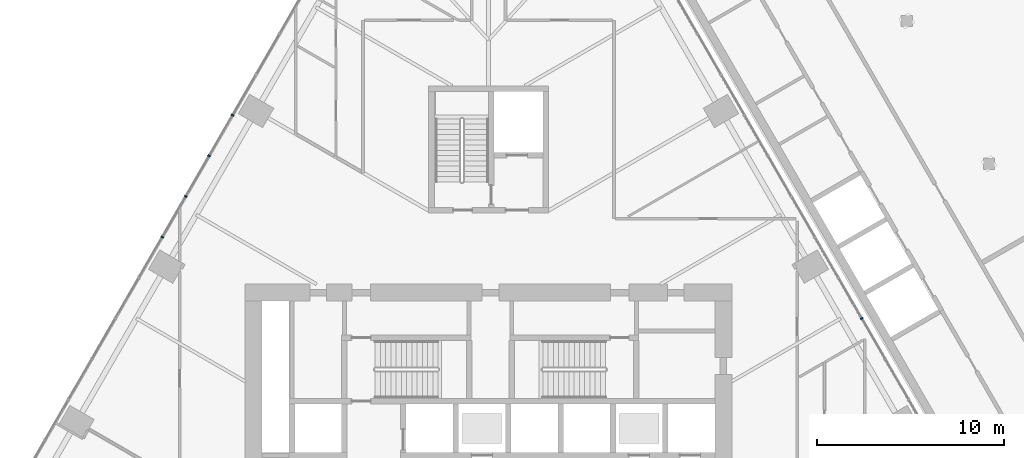
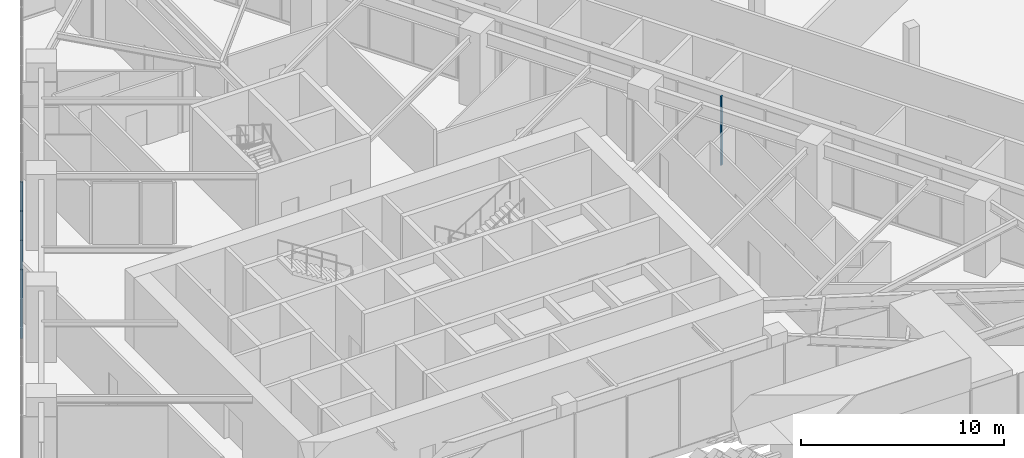
# One storey, part 9 of 23: 5 members, 2 elements without a shape of their own.
"""IFC4 building model written with IfcOpenShell, lengths in metres."""

from ifc_helpers import new_model, si_unit, direction, frame, origin, origin_2d, place, context, subcontext, project, spatial, rectangle, extrude, material, layer, layer_set, material_profile, profile_set, type_object, element, aggregate, save


model = new_model("IFC4")

# Units and contexts
model_context = context("Model", 3, precision=1e-05, world=origin(), true_north=direction((0.0, 1.0)))
body_context = subcontext(model_context, "Body", "Model", "MODEL_VIEW")
ifc_project = project(units=[si_unit("LENGTHUNIT", "METRE"), si_unit("AREAUNIT", "SQUARE_METRE"), si_unit("VOLUMEUNIT", "CUBIC_METRE"), si_unit("PLANEANGLEUNIT", "RADIAN"), si_unit("MASSUNIT", "GRAM", prefix="KILO")], contexts=[model_context])

# Site, building, storey
site_placement = place(None, origin())
site = spatial("IfcSite", under=ifc_project, at=site_placement, CompositionType="ELEMENT")
building_placement = place(site_placement, origin())
building = spatial("IfcBuilding", under=site, at=building_placement, Name="Firuza Gate Tower and Library", CompositionType="ELEMENT")
storey_placement = place(building_placement, frame((0.0, 0.0, 21.800048828125)))
storey = spatial("IfcBuildingStorey", under=building, at=storey_placement, Name="L04", CompositionType="ELEMENT", Elevation=21.800048828125)

# Curtain wall, member
ifc_material_1 = material(Name="Aluminium 6063-T6", Category="aluminium")
ifc_layer = layer(ifc_material_1, 0.14990234375)
ifc_layer_set = layer_set([ifc_layer], Name="Stick curtain wall, podium")
curtain_wall_type = type_object("IfcCurtainWallType", Name="Stick curtain wall, podium", PredefinedType="NOTDEFINED", material=ifc_layer_set)
placement = place(storey_placement, origin())
curtain_wall_1 = element("IfcCurtainWall", 1, at=placement, inside=storey, type_object=curtain_wall_type, Name="CW5 L04 E", PredefinedType="NOTDEFINED")
ifc_material_2 = material(Name="Aluminium 6063-T6", Category="aluminium")
ifc_material_profile = material_profile(ifc_material_2, rectangle(XDim=0.14990234375, YDim=0.080078125, at=origin_2d()))
ifc_profile_set = profile_set([ifc_material_profile], Name="Aluminium 6063-T6")
member_type = type_object("IfcMemberType", Name="Curtain wall mullion 80x150", PredefinedType="MULLION", material=ifc_profile_set)
member_1_placement = place(storey_placement, frame((94.946044921875, 82.171630859375, 0.14990234375), z_axis=(0.0, 0.0, 1.0), x_axis=(-0.866025403784, -0.5, 0.0)))
member_1 = element("IfcMember", 2, at=member_1_placement, type_object=member_type, Name="Mullion", PredefinedType="MULLION", context=body_context, shape_type="SweptSolid", body=[
    extrude(rectangle(XDim=0.14990234375, YDim=0.080078125, at=origin_2d()), origin(), (0.0, 0.0, 1.0), 4.150146484375),
])
aggregate(curtain_wall_1, [member_1])

# Curtain wall, members
curtain_wall_2 = element("IfcCurtainWall", 3, at=placement, inside=storey, type_object=curtain_wall_type, Name="CW5 L04 W", PredefinedType="NOTDEFINED")
member_2_placement = place(storey_placement, frame((61.32421875, 93.0322265625, 0.14990234375), z_axis=(0.0, 0.0, 1.0), x_axis=(0.866025403784, -0.5, 0.0)))
member_2 = element("IfcMember", 4, at=member_2_placement, type_object=member_type, Name="Mullion", PredefinedType="MULLION", context=body_context, shape_type="SweptSolid", body=[
    extrude(rectangle(XDim=0.14990234375, YDim=0.080078125, at=origin_2d()), origin(), (0.0, 0.0, 1.0), 4.150146484375),
])
member_3_placement = place(storey_placement, frame((60.070068359375, 90.860107421875, 0.14990234375), z_axis=(0.0, 0.0, 1.0), x_axis=(0.866025403784, -0.5, 0.0)))
member_3 = element("IfcMember", 5, at=member_3_placement, type_object=member_type, Name="Mullion", PredefinedType="MULLION", context=body_context, shape_type="SweptSolid", body=[
    extrude(rectangle(XDim=0.14990234375, YDim=0.080078125, at=origin_2d()), origin(), (0.0, 0.0, 1.0), 4.150146484375),
])
member_4_placement = place(storey_placement, frame((58.816162109375, 88.68798828125, 0.14990234375), z_axis=(0.0, 0.0, 1.0), x_axis=(0.866025403784, -0.5, 0.0)))
member_4 = element("IfcMember", 6, at=member_4_placement, type_object=member_type, Name="Mullion", PredefinedType="MULLION", context=body_context, shape_type="SweptSolid", body=[
    extrude(rectangle(XDim=0.14990234375, YDim=0.080078125, at=origin_2d()), origin(), (0.0, 0.0, 1.0), 4.150146484375),
])
member_5_placement = place(storey_placement, frame((57.56201171875, 86.515869140625, 0.14990234375), z_axis=(0.0, 0.0, 1.0), x_axis=(0.866025403784, -0.5, 0.0)))
member_5 = element("IfcMember", 7, at=member_5_placement, type_object=member_type, Name="Mullion", PredefinedType="MULLION", context=body_context, shape_type="SweptSolid", body=[
    extrude(rectangle(XDim=0.14990234375, YDim=0.080078125, at=origin_2d()), origin(), (0.0, 0.0, 1.0), 4.150146484375),
])
aggregate(curtain_wall_2, [member_2, member_3, member_4, member_5])

save(model, "model.ifc")
